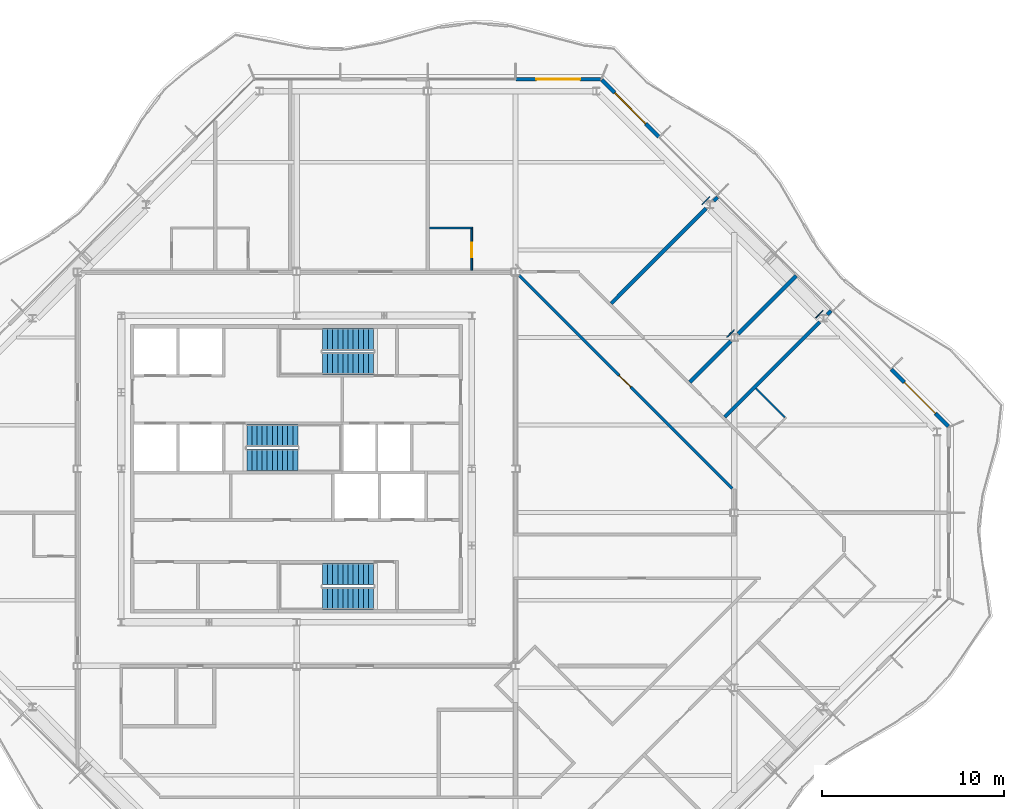
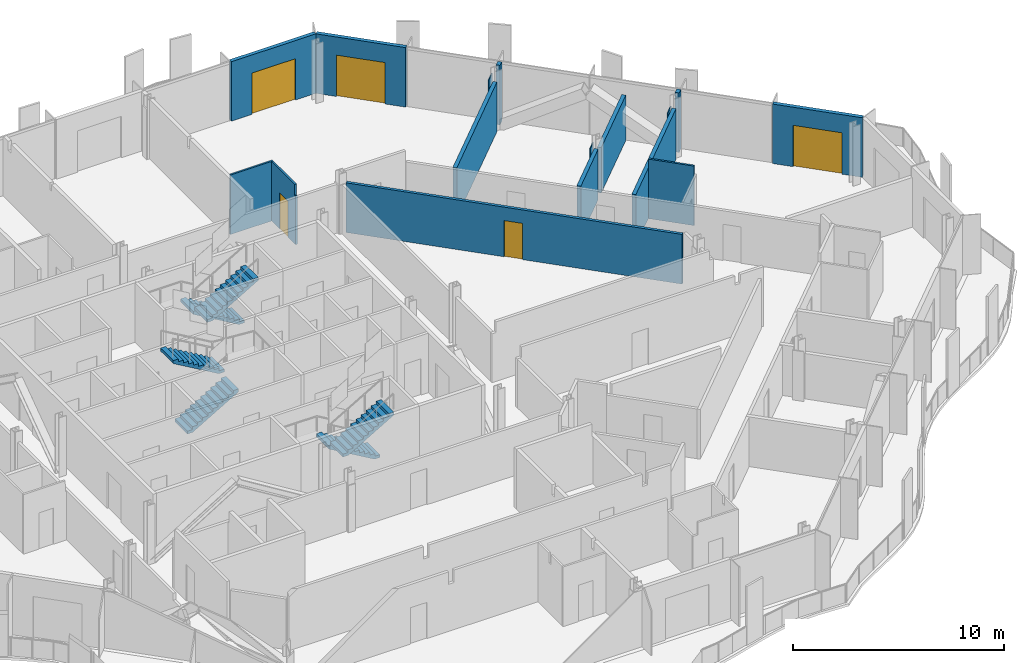
# One storey, part 12 of 17: 16 walls, 6 stair flights, 5 doors, 5 openings, 3 elements without a shape of their own.
"""IFC4 building model written with IfcOpenShell, lengths in metres."""

from ifc_helpers import new_model, si_unit, direction, frame, frame_2d, origin, place, context, subcontext, project, spatial, polyline, rectangle, outline, extrude, material, layer, layer_set, type_object, element, fill, aggregate, save


model = new_model("IFC4")

# Units and contexts
model_context = context("Model", 3, precision=1e-05, world=origin(), true_north=direction((0.0, 1.0)))
body_context = subcontext(model_context, "Body", "Model", "MODEL_VIEW")
ifc_project = project(units=[si_unit("LENGTHUNIT", "METRE"), si_unit("AREAUNIT", "SQUARE_METRE"), si_unit("VOLUMEUNIT", "CUBIC_METRE"), si_unit("PLANEANGLEUNIT", "RADIAN"), si_unit("MASSUNIT", "GRAM", prefix="KILO")], contexts=[model_context])

# Site, building, storey
site_placement = place(None, origin())
site = spatial("IfcSite", under=ifc_project, at=site_placement, CompositionType="ELEMENT")
building_placement = place(site_placement, origin())
building = spatial("IfcBuilding", under=site, at=building_placement, Name="Cairn Pilgrim Tower", CompositionType="ELEMENT")
storey_placement = place(building_placement, frame((0.0, 0.0, 239.39990234375)))
storey = spatial("IfcBuildingStorey", under=building, at=storey_placement, Name="L61", CompositionType="ELEMENT", Elevation=239.39990234375)

# Wall, opening, door
ifc_material_1 = material(Name="Bronze anodised aluminium insulated sandwich panel with mineral wool fill", Category="aluminium")
ifc_layer_1 = layer(ifc_material_1, 0.199951171875)
ifc_layer_set_1 = layer_set([ifc_layer_1], Name="BRONZE INFILL FRAME WALL 200")
wall_type_1 = type_object("IfcWallType", Name="BRONZE INFILL FRAME WALL 200", PredefinedType="NOTDEFINED", material=ifc_layer_set_1)
wall_1_placement = place(storey_placement, frame((42.921630859375, 4.724609375, 0.0), z_axis=(0.0, 0.0, 1.0), x_axis=(-0.707079168996, 0.707134392299, 0.0)))
wall_1 = element("IfcWall", 1, at=wall_1_placement, inside=storey, type_object=wall_type_1, Name="Bronze infill frame wall IW-NE1", PredefinedType="NOTDEFINED", context=body_context, shape_type="SweptSolid", body=[
    extrude(rectangle(XDim=4.4208984375, YDim=0.199951171875, at=frame_2d((2.21044921875, 0.0))), origin(), (0.0, 0.0, 1.0), 3.4501953125),
])
opening_1_placement = place(wall_1_placement, frame((1.00537109375, 0.0, 0.0)))
opening_1 = element("IfcOpeningElement", 2, at=opening_1_placement, cuts=wall_1, Name="Opening 6105B", PredefinedType="OPENING", context=body_context, shape_type="SweptSolid", body=[
    extrude(rectangle(XDim=2.39990234375, YDim=2.39990234375, at=frame_2d((1.199951171875, 1.199951171875))), frame((0.0, 0.10986328125, 0.0), z_axis=(0.0, -1.0, 0.0), x_axis=(1.0, 0.0, 0.0)), (0.0, 0.0, 1.0), 0.219970703125),
])
ifc_material_2 = material(Name="Bronze anodised aluminium frame with tinted low-E glass", Category="aluminium")
door_type_1 = type_object("IfcDoorType", Name="BALCONY SLIDING DOOR 2400x2400", OperationType="DOUBLE_DOOR_SLIDING", PredefinedType="DOOR", material=ifc_material_2)
door_1_placement = place(opening_1_placement, origin())
door_1 = element("IfcDoor", 3, at=door_1_placement, inside=storey, type_object=door_type_1, Name="Balcony sliding door 6105B", OperationType="SINGLE_SWING_LEFT", OverallHeight=2.39990234375, OverallWidth=2.39990234375, PredefinedType="DOOR", context=body_context, shape_type="SweptSolid", body=[
    extrude(rectangle(XDim=2.39990234375, YDim=2.39990234375, at=frame_2d((1.199951171875, 1.199951171875))), frame((0.0, 0.02490234375, 0.0), z_axis=(0.0, -1.0, 0.0), x_axis=(1.0, 0.0, 0.0)), (0.0, 0.0, 1.0), 0.050048828125),
])
fill(opening_1, door_1)

wall_2_placement = place(storey_placement, frame((27.05078125, 20.595703125, 0.0), z_axis=(0.0, 0.0, 1.0), x_axis=(-0.707106781187, 0.707106781187, 0.0)))
wall_2 = element("IfcWall", 4, at=wall_2_placement, inside=storey, type_object=wall_type_1, Name="Bronze infill frame wall IW-NE6", PredefinedType="NOTDEFINED", context=body_context, shape_type="SweptSolid", body=[
    extrude(rectangle(XDim=4.4208984375, YDim=0.199951171875, at=frame_2d((2.21044921875, 0.0))), origin(), (0.0, 0.0, 1.0), 3.4501953125),
])
opening_2_placement = place(wall_2_placement, frame((1.01513671875, 0.0, 0.0)))
opening_2 = element("IfcOpeningElement", 5, at=opening_2_placement, cuts=wall_2, Name="Opening 6108B", PredefinedType="OPENING", context=body_context, shape_type="SweptSolid", body=[
    extrude(rectangle(XDim=2.39990234375, YDim=2.39990234375, at=frame_2d((1.199951171875, 1.199951171875))), frame((0.0, 0.10986328125, 0.0), z_axis=(0.0, -1.0, 0.0), x_axis=(1.0, 0.0, 0.0)), (0.0, 0.0, 1.0), 0.219970703125),
])
door_2_placement = place(opening_2_placement, origin())
door_2 = element("IfcDoor", 6, at=door_2_placement, inside=storey, type_object=door_type_1, Name="Balcony sliding door 6108B", OperationType="SINGLE_SWING_LEFT", OverallHeight=2.39990234375, OverallWidth=2.39990234375, PredefinedType="DOOR", context=body_context, shape_type="SweptSolid", body=[
    extrude(rectangle(XDim=2.39990234375, YDim=2.39990234375, at=frame_2d((1.199951171875, 1.199951171875))), frame((0.0, 0.02490234375, 0.0), z_axis=(0.0, -1.0, 0.0), x_axis=(1.0, 0.0, 0.0)), (0.0, 0.0, 1.0), 0.050048828125),
])
fill(opening_2, door_2)

wall_3_placement = place(storey_placement, frame((23.8564453125, 23.75, 0.0), z_axis=(0.0, 0.0, 1.0), x_axis=(-1.0, 0.0, 0.0)))
wall_3 = element("IfcWall", 7, at=wall_3_placement, inside=storey, type_object=wall_type_1, Name="Bronze infill frame wall IW-N1", PredefinedType="NOTDEFINED", context=body_context, shape_type="SweptSolid", body=[
    extrude(rectangle(XDim=4.62646484375, YDim=0.199951171875, at=frame_2d((2.313232421875, 0.0))), origin(), (0.0, 0.0, 1.0), 3.4501953125),
])
opening_3_placement = place(wall_3_placement, frame((1.1083984375, 0.0, 0.0)))
opening_3 = element("IfcOpeningElement", 8, at=opening_3_placement, cuts=wall_3, Name="Opening 6108B2", PredefinedType="OPENING", context=body_context, shape_type="SweptSolid", body=[
    extrude(rectangle(XDim=2.39990234375, YDim=2.39990234375, at=frame_2d((1.199951171875, 1.199951171875))), frame((0.0, 0.10986328125, 0.0), z_axis=(0.0, -1.0, 0.0), x_axis=(1.0, 0.0, 0.0)), (0.0, 0.0, 1.0), 0.219970703125),
])
door_3_placement = place(opening_3_placement, origin())
door_3 = element("IfcDoor", 9, at=door_3_placement, inside=storey, type_object=door_type_1, Name="Balcony sliding door 6108B2", OperationType="SINGLE_SWING_LEFT", OverallHeight=2.39990234375, OverallWidth=2.39990234375, PredefinedType="DOOR", context=body_context, shape_type="SweptSolid", body=[
    extrude(rectangle(XDim=2.39990234375, YDim=2.39990234375, at=frame_2d((1.199951171875, 1.199951171875))), frame((0.0, 0.02490234375, 0.0), z_axis=(0.0, -1.0, 0.0), x_axis=(1.0, 0.0, 0.0)), (0.0, 0.0, 1.0), 0.050048828125),
])
fill(opening_3, door_3)

# Wall
ifc_material_3 = material(Name="Gypsum partition")
ifc_layer_2 = layer(ifc_material_3, 0.10009765625)
ifc_layer_set_2 = layer_set([ifc_layer_2], Name="PARTITION 100 DRYWALL")
wall_type_2 = type_object("IfcWallType", Name="PARTITION 100 DRYWALL", PredefinedType="PARTITIONING", material=ifc_layer_set_2)
wall_4_placement = place(storey_placement, frame((33.967529296875, 5.220458984375, 0.0), z_axis=(0.0, 0.0, 1.0), x_axis=(-0.707106781187, 0.707106781187, 0.0)))
element("IfcWall", 10, at=wall_4_placement, inside=storey, type_object=wall_type_2, Name="PARTITION W062", PredefinedType="PARTITIONING", context=body_context, shape_type="SweptSolid", body=[
    extrude(rectangle(XDim=2.249755859375, YDim=0.10009765625, at=frame_2d((1.125, 0.0))), origin(), (0.0, 0.0, 1.0), 3.4501953125),
])

# Wall, opening, door
wall_5_placement = place(storey_placement, frame((16.800048828125, 13.27490234375, 0.0), z_axis=(0.0, 0.0, 1.0), x_axis=(0.0, 1.0, 0.0)))
wall_5 = element("IfcWall", 11, at=wall_5_placement, inside=storey, type_object=wall_type_2, Name="PARTITION W075", PredefinedType="PARTITIONING", context=body_context, shape_type="SweptSolid", body=[
    extrude(outline(polyline([(0.0, 0.0), (2.275146484375, 0.0), (2.27490234375, 3.4501953125), (0.074951171875, 3.4501953125), (0.072998046875, 2.830078125), (0.0, 2.830078125), (0.0, 0.0)])), frame((0.0, 0.050048828125, 0.0), z_axis=(0.0, -1.0, 0.0), x_axis=(1.0, 0.0, 0.0)), (0.0, 0.0, 1.0), 0.10009765625),
])
opening_4_placement = place(wall_5_placement, frame((0.72509765625, 0.0, 0.0)))
opening_4 = element("IfcOpeningElement", 12, at=opening_4_placement, cuts=wall_5, Name="Opening 6108A", PredefinedType="OPENING", context=body_context, shape_type="SweptSolid", body=[
    extrude(rectangle(XDim=0.800048828125, YDim=2.10009765625, at=frame_2d((0.39990234375, 1.050048828125))), frame((0.0, 0.06005859375, 0.0), z_axis=(0.0, -1.0, 0.0), x_axis=(1.0, 0.0, 0.0)), (0.0, 0.0, 1.0), 0.1201171875),
])
ifc_material_4 = material(Name="Timber door leaf", Category="wood")
door_type_2 = type_object("IfcDoorType", Name="WC DOOR 800x2100", OperationType="NOTDEFINED", PredefinedType="DOOR", material=ifc_material_4)
door_4_placement = place(opening_4_placement, frame((0.800048828125, 0.0, 0.0), z_axis=(0.0, 0.0, 1.0), x_axis=(-1.0, 0.0, 0.0)))
door_4 = element("IfcDoor", 13, at=door_4_placement, inside=storey, type_object=door_type_2, Name="DOOR 6108A", OperationType="SINGLE_SWING_RIGHT", OverallHeight=2.10009765625, OverallWidth=0.800048828125, PredefinedType="DOOR", context=body_context, shape_type="SweptSolid", body=[
    extrude(rectangle(XDim=0.800048828125, YDim=2.10009765625, at=frame_2d((0.39990234375, 1.050048828125))), frame((0.0, 0.02490234375, 0.0), z_axis=(0.0, -1.0, 0.0), x_axis=(1.0, 0.0, 0.0)), (0.0, 0.0, 1.0), 0.050048828125),
])
fill(opening_4, door_4)

# Wall
wall_6_placement = place(storey_placement, frame((14.5, 15.60009765625, 0.0), z_axis=(0.0, 0.0, 1.0), x_axis=(1.0, 0.0, 0.0)))
element("IfcWall", 14, at=wall_6_placement, inside=storey, type_object=wall_type_2, Name="PARTITION W078", PredefinedType="PARTITIONING", context=body_context, shape_type="SweptSolid", body=[
    extrude(rectangle(XDim=2.35009765625, YDim=0.10009765625, at=frame_2d((1.175048828125, 0.0))), origin(), (0.0, 0.0, 1.0), 3.4501953125),
])

# Wall, opening, door
ifc_layer_3 = layer(ifc_material_3, 0.14990234375)
ifc_layer_set_3 = layer_set([ifc_layer_3], Name="PARTITION 150 DRYWALL EI 60")
wall_type_3 = type_object("IfcWallType", Name="PARTITION 150 DRYWALL EI 60", PredefinedType="PARTITIONING", material=ifc_layer_set_3)
wall_7_placement = place(storey_placement, frame((31.072021484375, 1.327880859375, 0.0), z_axis=(0.0, 0.0, 1.0), x_axis=(-0.707099390895, 0.707114171401, 0.0)))
wall_7 = element("IfcWall", 15, at=wall_7_placement, inside=storey, type_object=wall_type_3, Name="PARTITION W057", PredefinedType="PARTITIONING", context=body_context, shape_type="SweptSolid", body=[
    extrude(rectangle(XDim=16.517822265625, YDim=0.14990234375, at=frame_2d((8.2587890625, 0.0))), origin(), (0.0, 0.0, 1.0), 2.880126953125),
])
opening_5_placement = place(wall_7_placement, frame((7.85400390625, 0.0, 0.0)))
opening_5 = element("IfcOpeningElement", 16, at=opening_5_placement, cuts=wall_7, Name="Opening 6120", PredefinedType="OPENING", context=body_context, shape_type="SweptSolid", body=[
    extrude(rectangle(XDim=0.89990234375, YDim=2.10009765625, at=frame_2d((0.449951171875, 1.050048828125))), frame((0.0, 0.0849609375, 0.0), z_axis=(0.0, -1.0, 0.0), x_axis=(1.0, 0.0, 0.0)), (0.0, 0.0, 1.0), 0.169921875),
])
door_type_3 = type_object("IfcDoorType", Name="SERVICE DOOR 900x2100 FD30S", OperationType="NOTDEFINED", PredefinedType="DOOR", material=ifc_material_4)
door_5_placement = place(opening_5_placement, origin())
door_5 = element("IfcDoor", 17, at=door_5_placement, inside=storey, type_object=door_type_3, Name="DOOR 6120", OperationType="SINGLE_SWING_RIGHT", OverallHeight=2.10009765625, OverallWidth=0.89990234375, PredefinedType="DOOR", context=body_context, shape_type="SweptSolid", body=[
    extrude(rectangle(XDim=0.89990234375, YDim=2.10009765625, at=frame_2d((0.449951171875, 1.050048828125))), frame((0.0, 0.02490234375, 0.0), z_axis=(0.0, -1.0, 0.0), x_axis=(1.0, 0.0, 0.0)), (0.0, 0.0, 1.0), 0.050048828125),
])
fill(opening_5, door_5)

# Walls
ifc_layer_4 = layer(ifc_material_3, 0.050048828125)
ifc_layer_set_4 = layer_set([ifc_layer_4], Name="PARTITION 50 DRYWALL EI 60")
wall_type_4 = type_object("IfcWallType", Name="PARTITION 50 DRYWALL EI 60", PredefinedType="PARTITIONING", material=ifc_layer_set_4)
wall_8_placement = place(storey_placement, frame((35.652587890625, 10.669189453125, 0.0), z_axis=(0.0, 0.0, 1.0), x_axis=(0.707106781187, 0.707106781187, 0.0)))
element("IfcWall", 18, at=wall_8_placement, inside=storey, type_object=wall_type_4, Name="COLUMN CASING WC16", PredefinedType="PARTITIONING", context=body_context, shape_type="SweptSolid", body=[
    extrude(rectangle(XDim=0.573486328125, YDim=0.050048828125, at=frame_2d((0.28662109375, 0.0))), origin(), (0.0, 0.0, 1.0), 2.630126953125),
])
wall_9_placement = place(storey_placement, frame((30.786376953125, 9.61767578125, 0.0), z_axis=(0.0, 0.0, 1.0), x_axis=(0.707106781187, 0.707106781187, 0.0)))
element("IfcWall", 19, at=wall_9_placement, inside=storey, type_object=wall_type_4, Name="COLUMN CASING WC17", PredefinedType="PARTITIONING", context=body_context, shape_type="SweptSolid", body=[
    extrude(rectangle(XDim=0.56005859375, YDim=0.050048828125, at=frame_2d((0.280029296875, 0.0))), origin(), (0.0, 0.0, 1.0), 2.880126953125),
])
wall_10_placement = place(storey_placement, frame((29.42822265625, 16.893310546875, 0.0), z_axis=(0.0, 0.0, 1.0), x_axis=(0.707106781187, 0.707106781187, 0.0)))
element("IfcWall", 20, at=wall_10_placement, inside=storey, type_object=wall_type_4, Name="COLUMN CASING WC18", PredefinedType="PARTITIONING", context=body_context, shape_type="SweptSolid", body=[
    extrude(rectangle(XDim=0.573486328125, YDim=0.050048828125, at=frame_2d((0.28662109375, 0.0))), origin(), (0.0, 0.0, 1.0), 2.93017578125),
])
ifc_layer_5 = layer(ifc_material_3, 0.199951171875)
ifc_layer_set_5 = layer_set([ifc_layer_5], Name="SHAFT WALL 200 GYPSUM EI 60")
wall_type_5 = type_object("IfcWallType", Name="SHAFT WALL 200 GYPSUM EI 60", PredefinedType="PARTITIONING", material=ifc_layer_set_5)
wall_11_placement = place(storey_placement, frame((30.662109375, 5.238037109375, 0.0), z_axis=(0.0, 0.0, 1.0), x_axis=(0.707106781187, 0.707106781187, 0.0)))
element("IfcWall", 21, at=wall_11_placement, inside=storey, type_object=wall_type_5, Name="PARTITION W061", PredefinedType="PARTITIONING", context=body_context, shape_type="SweptSolid", body=[
    extrude(rectangle(XDim=7.369140625, YDim=0.199951171875, at=frame_2d((3.6845703125, 0.0))), origin(), (0.0, 0.0, 1.0), 2.93017578125),
])
wall_12_placement = place(storey_placement, frame((28.75, 7.14990234375, 0.0), z_axis=(0.0, 0.0, 1.0), x_axis=(0.7070684525, 0.707145107796, 0.0)))
element("IfcWall", 22, at=wall_12_placement, inside=storey, type_object=wall_type_5, Name="PARTITION W063", PredefinedType="PARTITIONING", context=body_context, shape_type="SweptSolid", body=[
    extrude(rectangle(XDim=3.184814453125, YDim=0.199951171875, at=frame_2d((1.59228515625, 0.0))), origin(), (0.0, 0.0, 1.0), 2.93017578125),
])
wall_13_placement = place(storey_placement, frame((31.39794921875, 9.798095703125, 0.0), z_axis=(0.0, 0.0, 1.0), x_axis=(0.707133900936, 0.707079660397, 0.0)))
element("IfcWall", 23, at=wall_13_placement, inside=storey, type_object=wall_type_5, Name="PARTITION W064", PredefinedType="PARTITIONING", context=body_context, shape_type="SweptSolid", body=[
    extrude(rectangle(XDim=4.5009765625, YDim=0.199951171875, at=frame_2d((2.25048828125, 0.0))), origin(), (0.0, 0.0, 1.0), 2.630126953125),
])
wall_14_placement = place(storey_placement, frame((36.2783203125, 10.8544921875, 0.0), z_axis=(0.0, 0.0, 1.0), x_axis=(0.707509117806, 0.706704215511, 0.0)))
element("IfcWall", 24, at=wall_14_placement, inside=storey, type_object=wall_type_5, Name="PARTITION W065", PredefinedType="PARTITIONING", context=body_context, shape_type="SweptSolid", body=[
    extrude(rectangle(XDim=0.30322265625, YDim=0.199951171875, at=frame_2d((0.151611328125, 0.0))), origin(), (0.0, 0.0, 1.0), 3.4501953125),
])
wall_15_placement = place(storey_placement, frame((24.43798828125, 11.4619140625, 0.0), z_axis=(0.0, 0.0, 1.0), x_axis=(0.707090216072, 0.707123345913, 0.0)))
element("IfcWall", 25, at=wall_15_placement, inside=storey, type_object=wall_type_5, Name="PARTITION W066", PredefinedType="PARTITIONING", context=body_context, shape_type="SweptSolid", body=[
    extrude(rectangle(XDim=7.369140625, YDim=0.199951171875, at=frame_2d((3.6845703125, 0.0))), origin(), (0.0, 0.0, 1.0), 2.880126953125),
])
wall_16_placement = place(storey_placement, frame((30.054443359375, 17.078369140625, 0.0), z_axis=(0.0, 0.0, 1.0), x_axis=(0.707106781187, 0.707106781187, 0.0)))
element("IfcWall", 26, at=wall_16_placement, inside=storey, type_object=wall_type_5, Name="PARTITION W079", PredefinedType="PARTITIONING", context=body_context, shape_type="SweptSolid", body=[
    extrude(rectangle(XDim=0.30322265625, YDim=0.199951171875, at=frame_2d((0.151611328125, 0.0))), origin(), (0.0, 0.0, 1.0), 3.4501953125),
])

# Stair, stair flights
ifc_material_5 = material(Name="Concrete C32/40", Category="concrete")
stair_type = type_object("IfcStairType", Name="EXIT STAIR 1200", PredefinedType="HALF_TURN_STAIR", material=ifc_material_5)
stair_1_placement = place(storey_placement, origin())
stair_1 = element("IfcStair", 27, at=stair_1_placement, inside=storey, type_object=stair_type, Name="L61 Exit Stair A", PredefinedType="HALF_TURN_STAIR")
stair_flight_type = type_object("IfcStairFlightType", Name="STAIR FLIGHT 1200", PredefinedType="STRAIGHT", material=ifc_material_5)
stair_flight_1_placement = place(storey_placement, frame((11.425048828125, -3.375, 0.0), z_axis=(0.0, 0.0, 1.0), x_axis=(-1.0, 0.0, 0.0)))
stair_flight_1 = element("IfcStairFlight", 28, at=stair_flight_1_placement, type_object=stair_flight_type, Name="ST-A flight 1", NumberOfRisers=11, NumberOfTreads=10, PredefinedType="STRAIGHT", RiserHeight=0.163636364, TreadLength=0.28, context=body_context, shape_type="SweptSolid", body=[
    extrude(outline(polyline([(0.0, 0.0), (0.0, 0.16357421875), (0.280029296875, 0.16357421875), (0.280029296875, 0.327392578125), (0.56005859375, 0.327392578125), (0.56005859375, 0.490966796875), (0.840087890625, 0.490966796875), (0.840087890625, 0.654541015625), (1.1201171875, 0.654541015625), (1.1201171875, 0.818115234375), (1.39990234375, 0.818115234375), (1.39990234375, 0.98193359375), (1.679931640625, 0.98193359375), (1.679931640625, 1.1455078125), (1.9599609375, 1.1455078125), (1.9599609375, 1.30908203125), (2.239990234375, 1.30908203125), (2.239990234375, 1.47265625), (2.52001953125, 1.47265625), (2.52001953125, 1.636474609375), (2.800048828125, 1.636474609375), (2.800048828125, 1.800048828125), (2.800048828125, 1.462646484375), (0.297119140625, 0.0), (0.0, 0.0)])), frame((0.0, 0.60009765625, 0.0), z_axis=(0.0, -1.0, 0.0), x_axis=(1.0, 0.0, 0.0)), (0.0, 0.0, 1.0), 1.199951171875),
])
stair_flight_2_placement = place(storey_placement, frame((8.625, -4.699951171875, 1.800048828125), z_axis=(0.0, 0.0, 1.0), x_axis=(1.0, 0.0, 0.0)))
stair_flight_2 = element("IfcStairFlight", 29, at=stair_flight_2_placement, type_object=stair_flight_type, Name="ST-A flight 2", NumberOfRisers=11, NumberOfTreads=10, PredefinedType="STRAIGHT", RiserHeight=0.163636364, TreadLength=0.28, context=body_context, shape_type="SweptSolid", body=[
    extrude(outline(polyline([(0.0, 0.0), (0.0, 0.16357421875), (0.280029296875, 0.16357421875), (0.280029296875, 0.327392578125), (0.56005859375, 0.327392578125), (0.56005859375, 0.490966796875), (0.840087890625, 0.490966796875), (0.840087890625, 0.654541015625), (1.1201171875, 0.654541015625), (1.1201171875, 0.818115234375), (1.39990234375, 0.818115234375), (1.39990234375, 0.98193359375), (1.679931640625, 0.98193359375), (1.679931640625, 1.1455078125), (1.9599609375, 1.1455078125), (1.9599609375, 1.30908203125), (2.239990234375, 1.30908203125), (2.239990234375, 1.47265625), (2.52001953125, 1.47265625), (2.52001953125, 1.636474609375), (2.800048828125, 1.636474609375), (2.800048828125, 1.800048828125), (2.800048828125, 1.462646484375), (0.297119140625, 0.0), (0.0, 0.0)])), frame((0.0, 0.60009765625, 0.0), z_axis=(0.0, -1.0, 0.0), x_axis=(1.0, 0.0, 0.0)), (0.0, 0.0, 1.0), 1.199951171875),
])
aggregate(stair_1, [stair_flight_1, stair_flight_2])

stair_2_placement = place(storey_placement, origin())
stair_2 = element("IfcStair", 30, at=stair_2_placement, inside=storey, type_object=stair_type, Name="L61 Exit Stair B", PredefinedType="HALF_TURN_STAIR")
stair_flight_3_placement = place(storey_placement, frame((4.47509765625, 2.875, 0.0), z_axis=(0.0, 0.0, 1.0), x_axis=(1.0, 0.0, 0.0)))
stair_flight_3 = element("IfcStairFlight", 31, at=stair_flight_3_placement, type_object=stair_flight_type, Name="ST-B flight 1", NumberOfRisers=11, NumberOfTreads=10, PredefinedType="STRAIGHT", RiserHeight=0.163636364, TreadLength=0.28, context=body_context, shape_type="SweptSolid", body=[
    extrude(outline(polyline([(0.0, 0.0), (0.0, 0.16357421875), (0.280029296875, 0.16357421875), (0.280029296875, 0.327392578125), (0.56005859375, 0.327392578125), (0.56005859375, 0.490966796875), (0.840087890625, 0.490966796875), (0.840087890625, 0.654541015625), (1.1201171875, 0.654541015625), (1.1201171875, 0.818115234375), (1.39990234375, 0.818115234375), (1.39990234375, 0.98193359375), (1.679931640625, 0.98193359375), (1.679931640625, 1.1455078125), (1.9599609375, 1.1455078125), (1.9599609375, 1.30908203125), (2.239990234375, 1.30908203125), (2.239990234375, 1.47265625), (2.52001953125, 1.47265625), (2.52001953125, 1.636474609375), (2.800048828125, 1.636474609375), (2.800048828125, 1.800048828125), (2.800048828125, 1.462646484375), (0.297119140625, 0.0), (0.0, 0.0)])), frame((0.0, 0.60009765625, 0.0), z_axis=(0.0, -1.0, 0.0), x_axis=(1.0, 0.0, 0.0)), (0.0, 0.0, 1.0), 1.199951171875),
])
stair_flight_4_placement = place(storey_placement, frame((7.27490234375, 4.22509765625, 1.800048828125), z_axis=(0.0, 0.0, 1.0), x_axis=(-1.0, 0.0, 0.0)))
stair_flight_4 = element("IfcStairFlight", 32, at=stair_flight_4_placement, type_object=stair_flight_type, Name="ST-B flight 2", NumberOfRisers=11, NumberOfTreads=10, PredefinedType="STRAIGHT", RiserHeight=0.163636364, TreadLength=0.28, context=body_context, shape_type="SweptSolid", body=[
    extrude(outline(polyline([(0.0, 0.0), (0.0, 0.16357421875), (0.280029296875, 0.16357421875), (0.280029296875, 0.327392578125), (0.56005859375, 0.327392578125), (0.56005859375, 0.490966796875), (0.840087890625, 0.490966796875), (0.840087890625, 0.654541015625), (1.1201171875, 0.654541015625), (1.1201171875, 0.818115234375), (1.39990234375, 0.818115234375), (1.39990234375, 0.98193359375), (1.679931640625, 0.98193359375), (1.679931640625, 1.1455078125), (1.9599609375, 1.1455078125), (1.9599609375, 1.30908203125), (2.239990234375, 1.30908203125), (2.239990234375, 1.47265625), (2.52001953125, 1.47265625), (2.52001953125, 1.636474609375), (2.800048828125, 1.636474609375), (2.800048828125, 1.800048828125), (2.800048828125, 1.462646484375), (0.297119140625, 0.0), (0.0, 0.0)])), frame((0.0, 0.60009765625, 0.0), z_axis=(0.0, -1.0, 0.0), x_axis=(1.0, 0.0, 0.0)), (0.0, 0.0, 1.0), 1.199951171875),
])
aggregate(stair_2, [stair_flight_3, stair_flight_4])

stair_3_placement = place(storey_placement, origin())
stair_3 = element("IfcStair", 33, at=stair_3_placement, inside=storey, type_object=stair_type, Name="L61 Exit Stair C", PredefinedType="HALF_TURN_STAIR")
stair_flight_5_placement = place(storey_placement, frame((11.425048828125, 9.5, 0.0), z_axis=(0.0, 0.0, 1.0), x_axis=(-1.0, 0.0, 0.0)))
stair_flight_5 = element("IfcStairFlight", 34, at=stair_flight_5_placement, type_object=stair_flight_type, Name="ST-C flight 1", NumberOfRisers=11, NumberOfTreads=10, PredefinedType="STRAIGHT", RiserHeight=0.163636364, TreadLength=0.28, context=body_context, shape_type="SweptSolid", body=[
    extrude(outline(polyline([(0.0, 0.0), (0.0, 0.16357421875), (0.280029296875, 0.16357421875), (0.280029296875, 0.327392578125), (0.56005859375, 0.327392578125), (0.56005859375, 0.490966796875), (0.840087890625, 0.490966796875), (0.840087890625, 0.654541015625), (1.1201171875, 0.654541015625), (1.1201171875, 0.818115234375), (1.39990234375, 0.818115234375), (1.39990234375, 0.98193359375), (1.679931640625, 0.98193359375), (1.679931640625, 1.1455078125), (1.9599609375, 1.1455078125), (1.9599609375, 1.30908203125), (2.239990234375, 1.30908203125), (2.239990234375, 1.47265625), (2.52001953125, 1.47265625), (2.52001953125, 1.636474609375), (2.800048828125, 1.636474609375), (2.800048828125, 1.800048828125), (2.800048828125, 1.462646484375), (0.297119140625, 0.0), (0.0, 0.0)])), frame((0.0, 0.60009765625, 0.0), z_axis=(0.0, -1.0, 0.0), x_axis=(1.0, 0.0, 0.0)), (0.0, 0.0, 1.0), 1.199951171875),
])
stair_flight_6_placement = place(storey_placement, frame((8.625, 8.175048828125, 1.800048828125), z_axis=(0.0, 0.0, 1.0), x_axis=(1.0, 0.0, 0.0)))
stair_flight_6 = element("IfcStairFlight", 35, at=stair_flight_6_placement, type_object=stair_flight_type, Name="ST-C flight 2", NumberOfRisers=11, NumberOfTreads=10, PredefinedType="STRAIGHT", RiserHeight=0.163636364, TreadLength=0.28, context=body_context, shape_type="SweptSolid", body=[
    extrude(outline(polyline([(0.0, 0.0), (0.0, 0.16357421875), (0.280029296875, 0.16357421875), (0.280029296875, 0.327392578125), (0.56005859375, 0.327392578125), (0.56005859375, 0.490966796875), (0.840087890625, 0.490966796875), (0.840087890625, 0.654541015625), (1.1201171875, 0.654541015625), (1.1201171875, 0.818115234375), (1.39990234375, 0.818115234375), (1.39990234375, 0.98193359375), (1.679931640625, 0.98193359375), (1.679931640625, 1.1455078125), (1.9599609375, 1.1455078125), (1.9599609375, 1.30908203125), (2.239990234375, 1.30908203125), (2.239990234375, 1.47265625), (2.52001953125, 1.47265625), (2.52001953125, 1.636474609375), (2.800048828125, 1.636474609375), (2.800048828125, 1.800048828125), (2.800048828125, 1.462646484375), (0.297119140625, 0.0), (0.0, 0.0)])), frame((0.0, 0.60009765625, 0.0), z_axis=(0.0, -1.0, 0.0), x_axis=(1.0, 0.0, 0.0)), (0.0, 0.0, 1.0), 1.199951171875),
])
aggregate(stair_3, [stair_flight_5, stair_flight_6])

save(model, "model.ifc")
